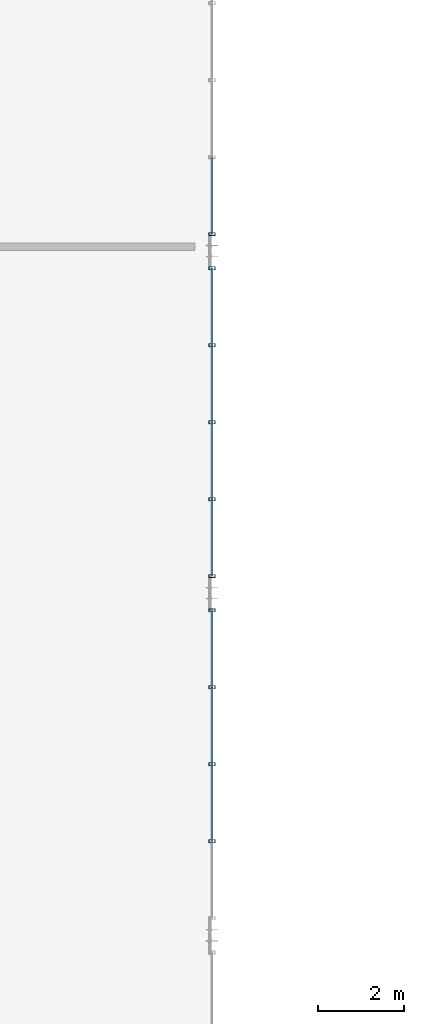
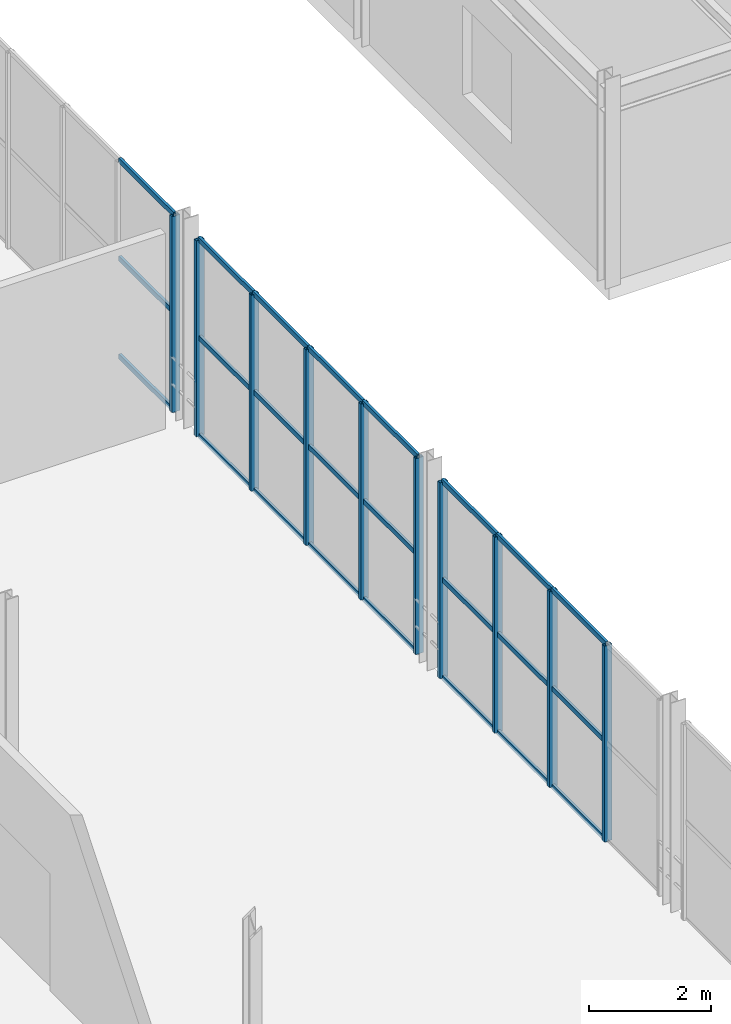
# One storey, part 53 of 122: 34 members, 3 elements without a shape of their own.
"""IFC4 building model written with IfcOpenShell, lengths in metres."""

from ifc_helpers import new_model, si_unit, direction, frame, origin, origin_2d, place, context, subcontext, project, spatial, hollow_rectangle, extrude, material, material_profile, profile_set, type_object, element, aggregate, save


model = new_model("IFC4")

# Units and contexts
model_context = context("Model", 3, precision=1e-05, world=origin(), true_north=direction((0.0, 1.0)))
body_context = subcontext(model_context, "Body", "Model", "MODEL_VIEW")
ifc_project = project(units=[si_unit("LENGTHUNIT", "METRE"), si_unit("AREAUNIT", "SQUARE_METRE"), si_unit("VOLUMEUNIT", "CUBIC_METRE"), si_unit("PLANEANGLEUNIT", "RADIAN"), si_unit("MASSUNIT", "GRAM", prefix="KILO")], contexts=[model_context])

# Site, building, storey
site_placement = place(None, origin())
site = spatial("IfcSite", under=ifc_project, at=site_placement, CompositionType="ELEMENT")
building_placement = place(site_placement, origin())
building = spatial("IfcBuilding", under=site, at=building_placement, Name="Sundkrona Museum", CompositionType="ELEMENT")
storey_placement = place(building_placement, frame((0.0, 0.0, 5.39990234375)))
storey = spatial("IfcBuildingStorey", under=building, at=storey_placement, Name="L01", CompositionType="ELEMENT", Elevation=5.39990234375)

# Curtain wall, members
ifc_material_1 = material(Name="Unitised Aluminium-Steel and Ceramic-Clad Curtain Walling", Category="steel")
curtain_wall_type = type_object("IfcCurtainWallType", Name="CW-PS-54x38", PredefinedType="NOTDEFINED", material=ifc_material_1)
curtain_wall_1_placement = place(storey_placement, origin())
curtain_wall_1 = element("IfcCurtainWall", 1, at=curtain_wall_1_placement, inside=storey, type_object=curtain_wall_type, Name="L01 Curtain Wall CW-L01-115", PredefinedType="NOTDEFINED")
ifc_material_2 = material(Name="Aluminium EN AW-6060 T66", Category="aluminium")
ifc_material_profile_1 = material_profile(ifc_material_2, hollow_rectangle(XDim=0.074951171875, YDim=0.14990234375, WallThickness=0.00634765625, at=origin_2d()), Name="RHS 150x75x6.3")
ifc_profile_set_1 = profile_set([ifc_material_profile_1], Name="Aluminium EN AW-6060 T66")
member_type_1 = type_object("IfcMemberType", Name="ML-150", PredefinedType="MULLION", material=ifc_profile_set_1)
member_1_placement = place(storey_placement, frame((96.0, 64.199951171875, -0.00390625), z_axis=(0.0, 0.0, 1.0), x_axis=(0.0, 1.0, 0.0)))
member_1 = element("IfcMember", 2, at=member_1_placement, type_object=member_type_1, Name="CW-L01-115 Mullion 02", PredefinedType="MULLION", context=body_context, shape_type="SweptSolid", body=[
    extrude(hollow_rectangle(XDim=0.074951171875, YDim=0.14990234375, WallThickness=0.00634765625, at=origin_2d()), origin(), (0.0, 0.0, 1.0), 3.927978515625),
])
member_2_placement = place(storey_placement, frame((96.0, 66.0, -0.00390625), z_axis=(0.0, 0.0, 1.0), x_axis=(0.0, 1.0, 0.0)))
member_2 = element("IfcMember", 3, at=member_2_placement, type_object=member_type_1, Name="CW-L01-115 Mullion 03", PredefinedType="MULLION", context=body_context, shape_type="SweptSolid", body=[
    extrude(hollow_rectangle(XDim=0.074951171875, YDim=0.14990234375, WallThickness=0.00634765625, at=origin_2d()), origin(), (0.0, 0.0, 1.0), 3.927978515625),
])
member_3_placement = place(storey_placement, frame((96.0, 67.800048828125, -0.00390625), z_axis=(0.0, 0.0, 1.0), x_axis=(0.0, 1.0, 0.0)))
member_3 = element("IfcMember", 4, at=member_3_placement, type_object=member_type_1, Name="CW-L01-115 Mullion 04", PredefinedType="MULLION", context=body_context, shape_type="SweptSolid", body=[
    extrude(hollow_rectangle(XDim=0.074951171875, YDim=0.14990234375, WallThickness=0.00634765625, at=origin_2d()), origin(), (0.0, 0.0, 1.0), 3.927978515625),
])
member_4_placement = place(storey_placement, frame((96.0, 69.60009765625, -0.00390625), z_axis=(0.0, 0.0, 1.0), x_axis=(0.0, 1.0, 0.0)))
member_4 = element("IfcMember", 5, at=member_4_placement, type_object=member_type_1, Name="CW-L01-115 Mullion 05", PredefinedType="MULLION", context=body_context, shape_type="SweptSolid", body=[
    extrude(hollow_rectangle(XDim=0.074951171875, YDim=0.14990234375, WallThickness=0.00634765625, at=origin_2d()), origin(), (0.0, 0.0, 1.0), 3.927978515625),
])

curtain_wall_2_placement = place(storey_placement, origin())
curtain_wall_2 = element("IfcCurtainWall", 6, at=curtain_wall_2_placement, inside=storey, type_object=curtain_wall_type, Name="L01 Curtain Wall CW-L01-117", PredefinedType="NOTDEFINED")
member_5_placement = place(storey_placement, frame((96.0, 70.39990234375, -0.00390625), z_axis=(0.0, 0.0, 1.0), x_axis=(0.0, 1.0, 0.0)))
member_5 = element("IfcMember", 7, at=member_5_placement, type_object=member_type_1, Name="CW-L01-117 Mullion 01", PredefinedType="MULLION", context=body_context, shape_type="SweptSolid", body=[
    extrude(hollow_rectangle(XDim=0.074951171875, YDim=0.14990234375, WallThickness=0.00634765625, at=origin_2d()), origin(), (0.0, 0.0, 1.0), 3.927978515625),
])
member_6_placement = place(storey_placement, frame((96.0, 72.199951171875, -0.00390625), z_axis=(0.0, 0.0, 1.0), x_axis=(0.0, 1.0, 0.0)))
member_6 = element("IfcMember", 8, at=member_6_placement, type_object=member_type_1, Name="CW-L01-117 Mullion 02", PredefinedType="MULLION", context=body_context, shape_type="SweptSolid", body=[
    extrude(hollow_rectangle(XDim=0.074951171875, YDim=0.14990234375, WallThickness=0.00634765625, at=origin_2d()), origin(), (0.0, 0.0, 1.0), 3.927978515625),
])
member_7_placement = place(storey_placement, frame((96.0, 74.0, -0.00390625), z_axis=(0.0, 0.0, 1.0), x_axis=(0.0, 1.0, 0.0)))
member_7 = element("IfcMember", 9, at=member_7_placement, type_object=member_type_1, Name="CW-L01-117 Mullion 03", PredefinedType="MULLION", context=body_context, shape_type="SweptSolid", body=[
    extrude(hollow_rectangle(XDim=0.074951171875, YDim=0.14990234375, WallThickness=0.00634765625, at=origin_2d()), origin(), (0.0, 0.0, 1.0), 3.927978515625),
])
member_8_placement = place(storey_placement, frame((96.0, 75.800048828125, -0.00390625), z_axis=(0.0, 0.0, 1.0), x_axis=(0.0, 1.0, 0.0)))
member_8 = element("IfcMember", 10, at=member_8_placement, type_object=member_type_1, Name="CW-L01-117 Mullion 04", PredefinedType="MULLION", context=body_context, shape_type="SweptSolid", body=[
    extrude(hollow_rectangle(XDim=0.074951171875, YDim=0.14990234375, WallThickness=0.00634765625, at=origin_2d()), origin(), (0.0, 0.0, 1.0), 3.927978515625),
])
member_9_placement = place(storey_placement, frame((96.0, 77.60009765625, -0.00390625), z_axis=(0.0, 0.0, 1.0), x_axis=(0.0, 1.0, 0.0)))
member_9 = element("IfcMember", 11, at=member_9_placement, type_object=member_type_1, Name="CW-L01-117 Mullion 05", PredefinedType="MULLION", context=body_context, shape_type="SweptSolid", body=[
    extrude(hollow_rectangle(XDim=0.074951171875, YDim=0.14990234375, WallThickness=0.00634765625, at=origin_2d()), origin(), (0.0, 0.0, 1.0), 3.927978515625),
])

# Curtain wall, member
curtain_wall_3_placement = place(storey_placement, origin())
curtain_wall_3 = element("IfcCurtainWall", 12, at=curtain_wall_3_placement, inside=storey, type_object=curtain_wall_type, Name="L01 Curtain Wall CW-L01-119", PredefinedType="NOTDEFINED")
member_10_placement = place(storey_placement, frame((96.0, 78.39990234375, -0.00390625), z_axis=(0.0, 0.0, 1.0), x_axis=(0.0, 1.0, 0.0)))
member_10 = element("IfcMember", 13, at=member_10_placement, type_object=member_type_1, Name="CW-L01-119 Mullion 01", PredefinedType="MULLION", context=body_context, shape_type="SweptSolid", body=[
    extrude(hollow_rectangle(XDim=0.074951171875, YDim=0.14990234375, WallThickness=0.00634765625, at=origin_2d()), origin(), (0.0, 0.0, 1.0), 3.927978515625),
])

# Member
ifc_material_profile_2 = material_profile(ifc_material_2, hollow_rectangle(XDim=0.050048828125, YDim=0.10009765625, WallThickness=0.0048828125, at=origin_2d()), Name="RHS 100x50x5.0")
ifc_profile_set_2 = profile_set([ifc_material_profile_2], Name="Aluminium EN AW-6060 T66")
member_type_2 = type_object("IfcMemberType", Name="TR-100", PredefinedType="USERDEFINED", material=ifc_profile_set_2)
member_11_placement = place(storey_placement, frame((96.0, 64.199951171875, -0.00390625), z_axis=(0.0, 1.0, 0.0), x_axis=(-1.0, 0.0, 0.0)))
member_11 = element("IfcMember", 14, at=member_11_placement, type_object=member_type_2, Name="CW-L01-115 Transom 04", ObjectType="TRANSOM", PredefinedType="USERDEFINED", context=body_context, shape_type="SweptSolid", body=[
    extrude(hollow_rectangle(XDim=0.050048828125, YDim=0.10009765625, WallThickness=0.0048828125, at=origin_2d()), origin(), (0.0, 0.0, 1.0), 1.800048828125),
])

member_12_placement = place(storey_placement, frame((96.0, 64.199951171875, 1.960205078125), z_axis=(0.0, 1.0, 0.0), x_axis=(-1.0, 0.0, 0.0)))
member_12 = element("IfcMember", 15, at=member_12_placement, type_object=member_type_2, Name="CW-L01-115 Transom 05", ObjectType="TRANSOM", PredefinedType="USERDEFINED", context=body_context, shape_type="SweptSolid", body=[
    extrude(hollow_rectangle(XDim=0.050048828125, YDim=0.10009765625, WallThickness=0.0048828125, at=origin_2d()), origin(), (0.0, 0.0, 1.0), 1.800048828125),
])

member_13_placement = place(storey_placement, frame((96.0, 64.199951171875, 3.924072265625), z_axis=(0.0, 1.0, 0.0), x_axis=(-1.0, 0.0, 0.0)))
member_13 = element("IfcMember", 16, at=member_13_placement, type_object=member_type_2, Name="CW-L01-115 Transom 06", ObjectType="TRANSOM", PredefinedType="USERDEFINED", context=body_context, shape_type="SweptSolid", body=[
    extrude(hollow_rectangle(XDim=0.050048828125, YDim=0.10009765625, WallThickness=0.0048828125, at=origin_2d()), origin(), (0.0, 0.0, 1.0), 1.800048828125),
])

member_14_placement = place(storey_placement, frame((96.0, 66.0, -0.00390625), z_axis=(0.0, 1.0, 0.0), x_axis=(-1.0, 0.0, 0.0)))
member_14 = element("IfcMember", 17, at=member_14_placement, type_object=member_type_2, Name="CW-L01-115 Transom 07", ObjectType="TRANSOM", PredefinedType="USERDEFINED", context=body_context, shape_type="SweptSolid", body=[
    extrude(hollow_rectangle(XDim=0.050048828125, YDim=0.10009765625, WallThickness=0.0048828125, at=origin_2d()), origin(), (0.0, 0.0, 1.0), 1.800048828125),
])

member_15_placement = place(storey_placement, frame((96.0, 66.0, 1.960205078125), z_axis=(0.0, 1.0, 0.0), x_axis=(-1.0, 0.0, 0.0)))
member_15 = element("IfcMember", 18, at=member_15_placement, type_object=member_type_2, Name="CW-L01-115 Transom 08", ObjectType="TRANSOM", PredefinedType="USERDEFINED", context=body_context, shape_type="SweptSolid", body=[
    extrude(hollow_rectangle(XDim=0.050048828125, YDim=0.10009765625, WallThickness=0.0048828125, at=origin_2d()), origin(), (0.0, 0.0, 1.0), 1.800048828125),
])

member_16_placement = place(storey_placement, frame((96.0, 66.0, 3.924072265625), z_axis=(0.0, 1.0, 0.0), x_axis=(-1.0, 0.0, 0.0)))
member_16 = element("IfcMember", 19, at=member_16_placement, type_object=member_type_2, Name="CW-L01-115 Transom 09", ObjectType="TRANSOM", PredefinedType="USERDEFINED", context=body_context, shape_type="SweptSolid", body=[
    extrude(hollow_rectangle(XDim=0.050048828125, YDim=0.10009765625, WallThickness=0.0048828125, at=origin_2d()), origin(), (0.0, 0.0, 1.0), 1.800048828125),
])

member_17_placement = place(storey_placement, frame((96.0, 67.800048828125, -0.00390625), z_axis=(0.0, 1.0, 0.0), x_axis=(-1.0, 0.0, 0.0)))
member_17 = element("IfcMember", 20, at=member_17_placement, type_object=member_type_2, Name="CW-L01-115 Transom 10", ObjectType="TRANSOM", PredefinedType="USERDEFINED", context=body_context, shape_type="SweptSolid", body=[
    extrude(hollow_rectangle(XDim=0.050048828125, YDim=0.10009765625, WallThickness=0.0048828125, at=origin_2d()), origin(), (0.0, 0.0, 1.0), 1.800048828125),
])

member_18_placement = place(storey_placement, frame((96.0, 67.800048828125, 1.960205078125), z_axis=(0.0, 1.0, 0.0), x_axis=(-1.0, 0.0, 0.0)))
member_18 = element("IfcMember", 21, at=member_18_placement, type_object=member_type_2, Name="CW-L01-115 Transom 11", ObjectType="TRANSOM", PredefinedType="USERDEFINED", context=body_context, shape_type="SweptSolid", body=[
    extrude(hollow_rectangle(XDim=0.050048828125, YDim=0.10009765625, WallThickness=0.0048828125, at=origin_2d()), origin(), (0.0, 0.0, 1.0), 1.800048828125),
])

member_19_placement = place(storey_placement, frame((96.0, 67.800048828125, 3.924072265625), z_axis=(0.0, 1.0, 0.0), x_axis=(-1.0, 0.0, 0.0)))
member_19 = element("IfcMember", 22, at=member_19_placement, type_object=member_type_2, Name="CW-L01-115 Transom 12", ObjectType="TRANSOM", PredefinedType="USERDEFINED", context=body_context, shape_type="SweptSolid", body=[
    extrude(hollow_rectangle(XDim=0.050048828125, YDim=0.10009765625, WallThickness=0.0048828125, at=origin_2d()), origin(), (0.0, 0.0, 1.0), 1.800048828125),
])

aggregate(curtain_wall_1, [member_1, member_2, member_3, member_4, member_11, member_12, member_13, member_14, member_15, member_16, member_17, member_18, member_19])

member_20_placement = place(storey_placement, frame((96.0, 70.39990234375, -0.00390625), z_axis=(0.0, 1.0, 0.0), x_axis=(-1.0, 0.0, 0.0)))
member_20 = element("IfcMember", 23, at=member_20_placement, type_object=member_type_2, Name="CW-L01-117 Transom 01", ObjectType="TRANSOM", PredefinedType="USERDEFINED", context=body_context, shape_type="SweptSolid", body=[
    extrude(hollow_rectangle(XDim=0.050048828125, YDim=0.10009765625, WallThickness=0.0048828125, at=origin_2d()), origin(), (0.0, 0.0, 1.0), 1.800048828125),
])

member_21_placement = place(storey_placement, frame((96.0, 70.39990234375, 1.960205078125), z_axis=(0.0, 1.0, 0.0), x_axis=(-1.0, 0.0, 0.0)))
member_21 = element("IfcMember", 24, at=member_21_placement, type_object=member_type_2, Name="CW-L01-117 Transom 02", ObjectType="TRANSOM", PredefinedType="USERDEFINED", context=body_context, shape_type="SweptSolid", body=[
    extrude(hollow_rectangle(XDim=0.050048828125, YDim=0.10009765625, WallThickness=0.0048828125, at=origin_2d()), origin(), (0.0, 0.0, 1.0), 1.800048828125),
])

member_22_placement = place(storey_placement, frame((96.0, 70.39990234375, 3.924072265625), z_axis=(0.0, 1.0, 0.0), x_axis=(-1.0, 0.0, 0.0)))
member_22 = element("IfcMember", 25, at=member_22_placement, type_object=member_type_2, Name="CW-L01-117 Transom 03", ObjectType="TRANSOM", PredefinedType="USERDEFINED", context=body_context, shape_type="SweptSolid", body=[
    extrude(hollow_rectangle(XDim=0.050048828125, YDim=0.10009765625, WallThickness=0.0048828125, at=origin_2d()), origin(), (0.0, 0.0, 1.0), 1.800048828125),
])

member_23_placement = place(storey_placement, frame((96.0, 72.199951171875, -0.00390625), z_axis=(0.0, 1.0, 0.0), x_axis=(-1.0, 0.0, 0.0)))
member_23 = element("IfcMember", 26, at=member_23_placement, type_object=member_type_2, Name="CW-L01-117 Transom 04", ObjectType="TRANSOM", PredefinedType="USERDEFINED", context=body_context, shape_type="SweptSolid", body=[
    extrude(hollow_rectangle(XDim=0.050048828125, YDim=0.10009765625, WallThickness=0.0048828125, at=origin_2d()), origin(), (0.0, 0.0, 1.0), 1.800048828125),
])

member_24_placement = place(storey_placement, frame((96.0, 72.199951171875, 1.960205078125), z_axis=(0.0, 1.0, 0.0), x_axis=(-1.0, 0.0, 0.0)))
member_24 = element("IfcMember", 27, at=member_24_placement, type_object=member_type_2, Name="CW-L01-117 Transom 05", ObjectType="TRANSOM", PredefinedType="USERDEFINED", context=body_context, shape_type="SweptSolid", body=[
    extrude(hollow_rectangle(XDim=0.050048828125, YDim=0.10009765625, WallThickness=0.0048828125, at=origin_2d()), origin(), (0.0, 0.0, 1.0), 1.800048828125),
])

member_25_placement = place(storey_placement, frame((96.0, 72.199951171875, 3.924072265625), z_axis=(0.0, 1.0, 0.0), x_axis=(-1.0, 0.0, 0.0)))
member_25 = element("IfcMember", 28, at=member_25_placement, type_object=member_type_2, Name="CW-L01-117 Transom 06", ObjectType="TRANSOM", PredefinedType="USERDEFINED", context=body_context, shape_type="SweptSolid", body=[
    extrude(hollow_rectangle(XDim=0.050048828125, YDim=0.10009765625, WallThickness=0.0048828125, at=origin_2d()), origin(), (0.0, 0.0, 1.0), 1.800048828125),
])

member_26_placement = place(storey_placement, frame((96.0, 74.0, -0.00390625), z_axis=(0.0, 1.0, 0.0), x_axis=(-1.0, 0.0, 0.0)))
member_26 = element("IfcMember", 29, at=member_26_placement, type_object=member_type_2, Name="CW-L01-117 Transom 07", ObjectType="TRANSOM", PredefinedType="USERDEFINED", context=body_context, shape_type="SweptSolid", body=[
    extrude(hollow_rectangle(XDim=0.050048828125, YDim=0.10009765625, WallThickness=0.0048828125, at=origin_2d()), origin(), (0.0, 0.0, 1.0), 1.800048828125),
])

member_27_placement = place(storey_placement, frame((96.0, 74.0, 1.960205078125), z_axis=(0.0, 1.0, 0.0), x_axis=(-1.0, 0.0, 0.0)))
member_27 = element("IfcMember", 30, at=member_27_placement, type_object=member_type_2, Name="CW-L01-117 Transom 08", ObjectType="TRANSOM", PredefinedType="USERDEFINED", context=body_context, shape_type="SweptSolid", body=[
    extrude(hollow_rectangle(XDim=0.050048828125, YDim=0.10009765625, WallThickness=0.0048828125, at=origin_2d()), origin(), (0.0, 0.0, 1.0), 1.800048828125),
])

member_28_placement = place(storey_placement, frame((96.0, 74.0, 3.924072265625), z_axis=(0.0, 1.0, 0.0), x_axis=(-1.0, 0.0, 0.0)))
member_28 = element("IfcMember", 31, at=member_28_placement, type_object=member_type_2, Name="CW-L01-117 Transom 09", ObjectType="TRANSOM", PredefinedType="USERDEFINED", context=body_context, shape_type="SweptSolid", body=[
    extrude(hollow_rectangle(XDim=0.050048828125, YDim=0.10009765625, WallThickness=0.0048828125, at=origin_2d()), origin(), (0.0, 0.0, 1.0), 1.800048828125),
])

member_29_placement = place(storey_placement, frame((96.0, 75.800048828125, -0.00390625), z_axis=(0.0, 1.0, 0.0), x_axis=(-1.0, 0.0, 0.0)))
member_29 = element("IfcMember", 32, at=member_29_placement, type_object=member_type_2, Name="CW-L01-117 Transom 10", ObjectType="TRANSOM", PredefinedType="USERDEFINED", context=body_context, shape_type="SweptSolid", body=[
    extrude(hollow_rectangle(XDim=0.050048828125, YDim=0.10009765625, WallThickness=0.0048828125, at=origin_2d()), origin(), (0.0, 0.0, 1.0), 1.800048828125),
])

member_30_placement = place(storey_placement, frame((96.0, 75.800048828125, 1.960205078125), z_axis=(0.0, 1.0, 0.0), x_axis=(-1.0, 0.0, 0.0)))
member_30 = element("IfcMember", 33, at=member_30_placement, type_object=member_type_2, Name="CW-L01-117 Transom 11", ObjectType="TRANSOM", PredefinedType="USERDEFINED", context=body_context, shape_type="SweptSolid", body=[
    extrude(hollow_rectangle(XDim=0.050048828125, YDim=0.10009765625, WallThickness=0.0048828125, at=origin_2d()), origin(), (0.0, 0.0, 1.0), 1.800048828125),
])

member_31_placement = place(storey_placement, frame((96.0, 75.800048828125, 3.924072265625), z_axis=(0.0, 1.0, 0.0), x_axis=(-1.0, 0.0, 0.0)))
member_31 = element("IfcMember", 34, at=member_31_placement, type_object=member_type_2, Name="CW-L01-117 Transom 12", ObjectType="TRANSOM", PredefinedType="USERDEFINED", context=body_context, shape_type="SweptSolid", body=[
    extrude(hollow_rectangle(XDim=0.050048828125, YDim=0.10009765625, WallThickness=0.0048828125, at=origin_2d()), origin(), (0.0, 0.0, 1.0), 1.800048828125),
])

aggregate(curtain_wall_2, [member_5, member_6, member_7, member_8, member_9, member_20, member_21, member_22, member_23, member_24, member_25, member_26, member_27, member_28, member_29, member_30, member_31])

member_32_placement = place(storey_placement, frame((96.0, 78.39990234375, -0.00390625), z_axis=(0.0, 1.0, 0.0), x_axis=(-1.0, 0.0, 0.0)))
member_32 = element("IfcMember", 35, at=member_32_placement, type_object=member_type_2, Name="CW-L01-119 Transom 01", ObjectType="TRANSOM", PredefinedType="USERDEFINED", context=body_context, shape_type="SweptSolid", body=[
    extrude(hollow_rectangle(XDim=0.050048828125, YDim=0.10009765625, WallThickness=0.0048828125, at=origin_2d()), origin(), (0.0, 0.0, 1.0), 1.800048828125),
])

member_33_placement = place(storey_placement, frame((96.0, 78.39990234375, 1.960205078125), z_axis=(0.0, 1.0, 0.0), x_axis=(-1.0, 0.0, 0.0)))
member_33 = element("IfcMember", 36, at=member_33_placement, type_object=member_type_2, Name="CW-L01-119 Transom 02", ObjectType="TRANSOM", PredefinedType="USERDEFINED", context=body_context, shape_type="SweptSolid", body=[
    extrude(hollow_rectangle(XDim=0.050048828125, YDim=0.10009765625, WallThickness=0.0048828125, at=origin_2d()), origin(), (0.0, 0.0, 1.0), 1.800048828125),
])

member_34_placement = place(storey_placement, frame((96.0, 78.39990234375, 3.924072265625), z_axis=(0.0, 1.0, 0.0), x_axis=(-1.0, 0.0, 0.0)))
member_34 = element("IfcMember", 37, at=member_34_placement, type_object=member_type_2, Name="CW-L01-119 Transom 03", ObjectType="TRANSOM", PredefinedType="USERDEFINED", context=body_context, shape_type="SweptSolid", body=[
    extrude(hollow_rectangle(XDim=0.050048828125, YDim=0.10009765625, WallThickness=0.0048828125, at=origin_2d()), origin(), (0.0, 0.0, 1.0), 1.800048828125),
])

aggregate(curtain_wall_3, [member_10, member_32, member_33, member_34])

save(model, "model.ifc")
